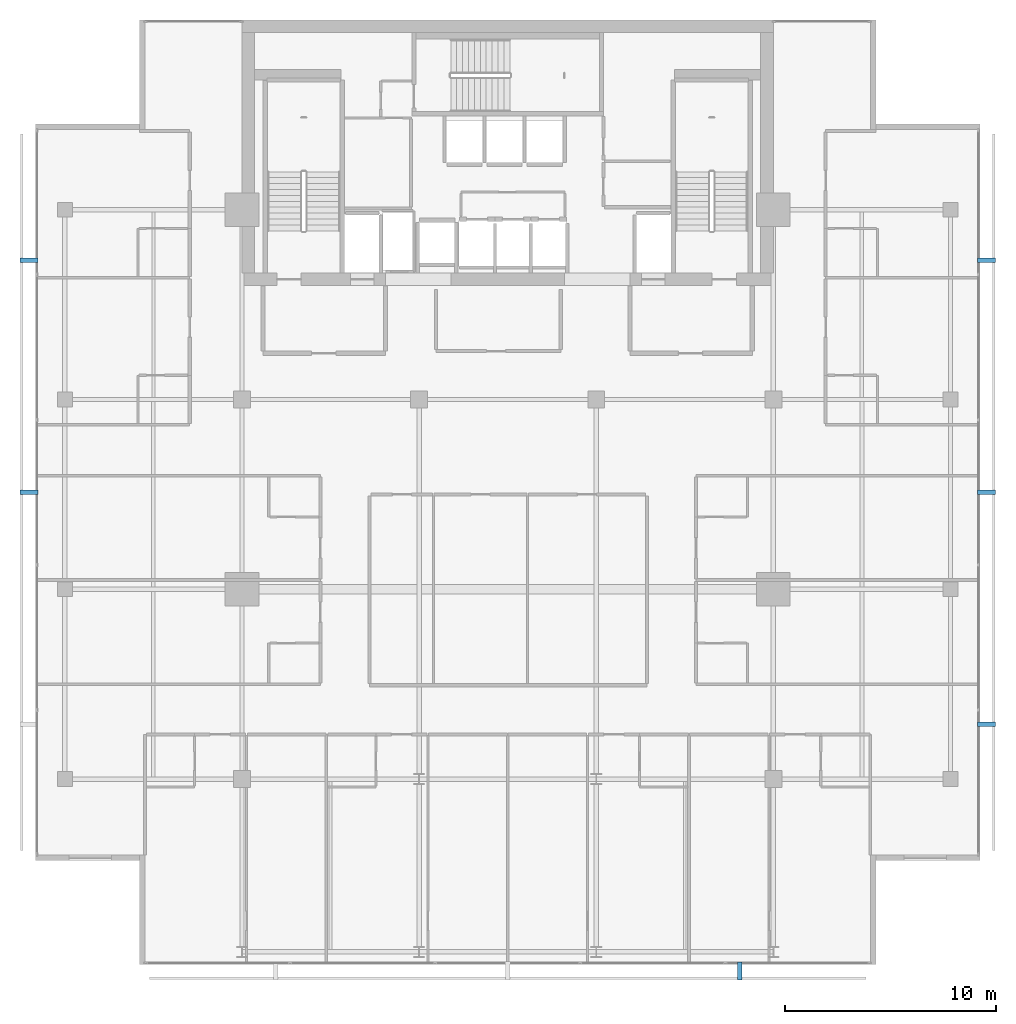
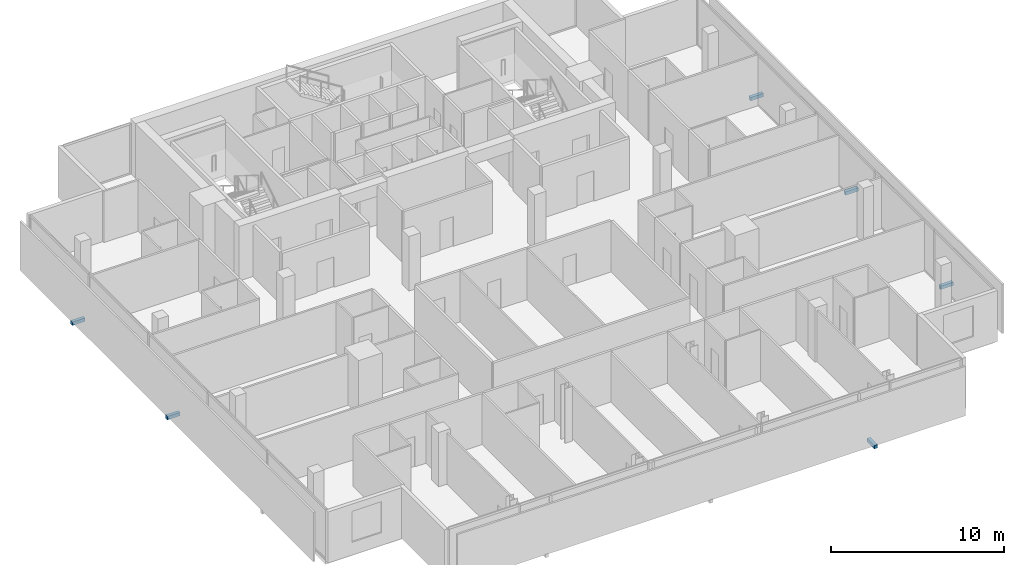
# One storey, part 24 of 26: 6 discrete accessories.
"""IFC4 building model written with IfcOpenShell, lengths in metres."""

from ifc_helpers import new_model, si_unit, direction, frame, origin, origin_2d, place, context, subcontext, project, spatial, rectangle, extrude, material, type_object, element, save


model = new_model("IFC4")

# Units and contexts
model_context = context("Model", 3, precision=1e-05, world=origin(), true_north=direction((0.0, 1.0)))
body_context = subcontext(model_context, "Body", "Model", "MODEL_VIEW")
ifc_project = project(units=[si_unit("LENGTHUNIT", "METRE"), si_unit("AREAUNIT", "SQUARE_METRE"), si_unit("VOLUMEUNIT", "CUBIC_METRE"), si_unit("PLANEANGLEUNIT", "RADIAN"), si_unit("MASSUNIT", "GRAM", prefix="KILO")], contexts=[model_context])

# Site, building, storey
site_placement = place(None, origin())
site = spatial("IfcSite", under=ifc_project, at=site_placement, CompositionType="ELEMENT")
building_placement = place(site_placement, origin())
building = spatial("IfcBuilding", under=site, at=building_placement, Name="Maruvema Waterfront Hotel and Observation Tower", CompositionType="ELEMENT")
storey_placement = place(building_placement, frame((0.0, 0.0, 258.64990234375)))
storey = spatial("IfcBuildingStorey", under=building, at=storey_placement, Name="L63", CompositionType="ELEMENT", Elevation=258.64990234375)

# Discrete accessories
ifc_material = material(Name="Duplex stainless steel Grade 2205", Category="steel")
discrete_accessory_type = type_object("IfcDiscreteAccessoryType", Name="Double-Skin Cavity Stainless Outrigger Bracket", PredefinedType="BRACKET", material=ifc_material)
for number, where, z_axis, x_axis, name in (
    (1, (48.80810546875, 8.89990234375, -0.14013671875), (0.0, 0.0, 1.0), (1.0, 0.0, 0.0), "L63 Outer Skin Support Bracket 3"),
    (2, (60.5, 20.592041015625, -0.14013671875), (0.0, 0.0, 1.0), (0.0, 1.0, 0.0), "L63 Outer Skin Support Bracket 1"),
    (3, (60.5, 31.60009765625, -0.14013671875), (0.0, 0.0, 1.0), (0.0, 1.0, 0.0), "L63 Outer Skin Support Bracket 2"),
    (4, (60.5, 42.60791015625, -0.14013671875), (0.0, 0.0, 1.0), (0.0, 1.0, 0.0), "L63 Outer Skin Support Bracket 3"),
    (5, (15.10009765625, 42.60791015625, -0.14013671875), (0.0, 0.0, 1.0), (0.0, -1.0, 0.0), "L63 Outer Skin Support Bracket 1"),
    (6, (15.10009765625, 31.60009765625, -0.14013671875), (0.0, 0.0, 1.0), (0.0, -1.0, 0.0), "L63 Outer Skin Support Bracket 2"),
):
    element("IfcDiscreteAccessory", number, at=place(storey_placement, frame(where, z_axis=z_axis, x_axis=x_axis)), inside=storey, type_object=discrete_accessory_type, Name=name, PredefinedType="BRACKET", context=body_context, shape_type="SweptSolid", body=[
        extrude(rectangle(XDim=0.219970703125, YDim=0.860107421875, at=origin_2d()), origin(), (0.0, 0.0, 1.0), 0.239990234375),
    ])

save(model, "model.ifc")
